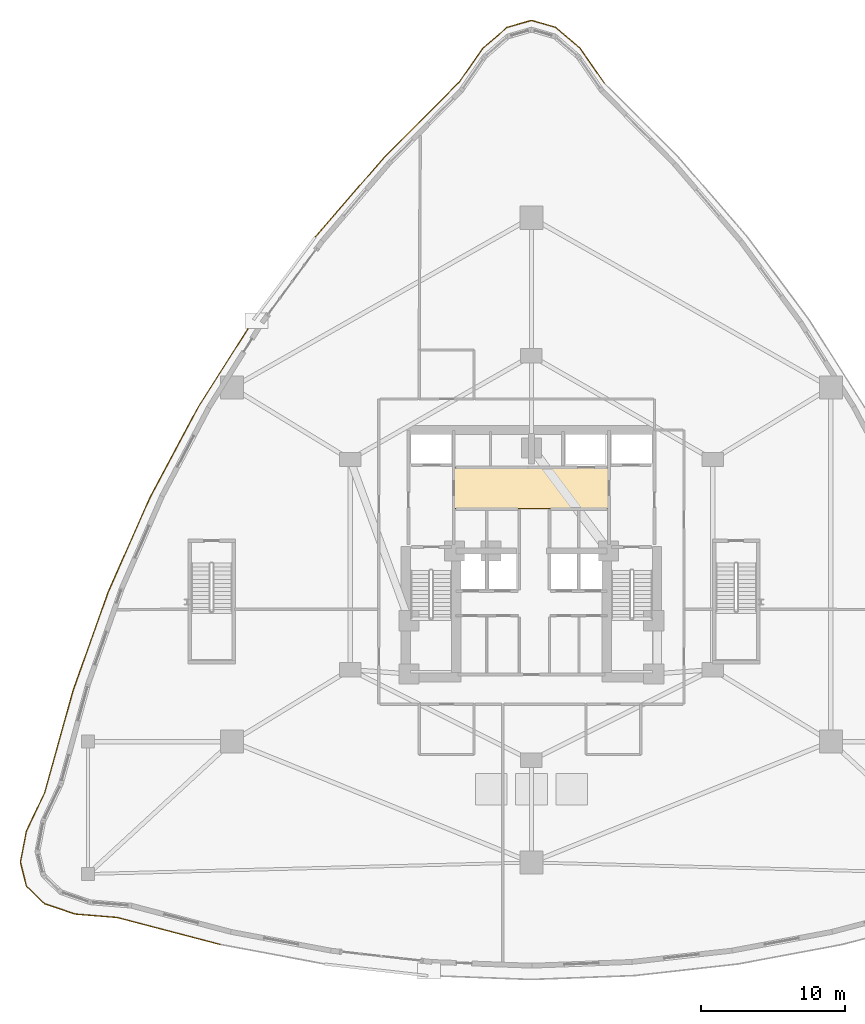
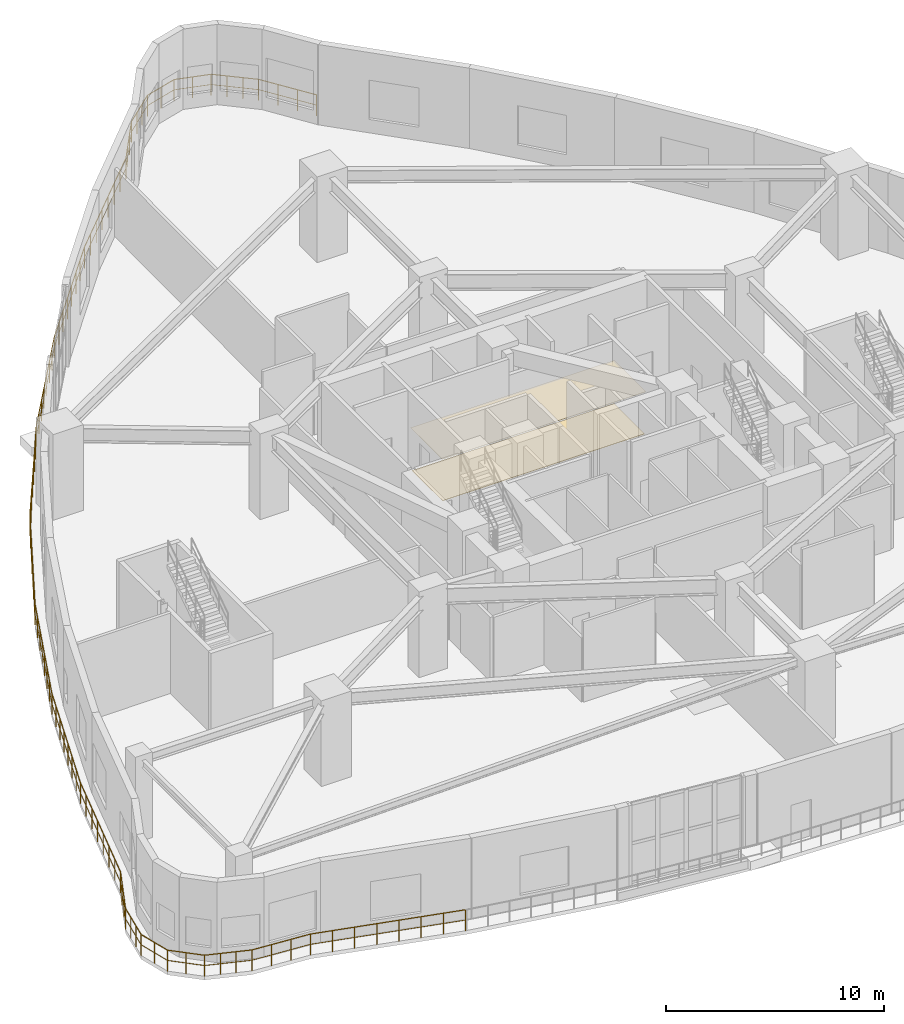
# One storey, part 23 of 23: 2 coverings, 1 railing.
"""IFC4 building model written with IfcOpenShell, lengths in metres."""

from ifc_helpers import new_model, si_unit, direction, frame, origin, origin_2d, place, context, subcontext, project, spatial, polyline, circle, outline, extrude, material, layer, layer_set, type_object, element, save


model = new_model("IFC4")

# Units and contexts
model_context = context("Model", 3, precision=1e-05, world=origin(), true_north=direction((0.0, 1.0)))
body_context = subcontext(model_context, "Body", "Model", "MODEL_VIEW")
ifc_project = project(units=[si_unit("LENGTHUNIT", "METRE"), si_unit("AREAUNIT", "SQUARE_METRE"), si_unit("VOLUMEUNIT", "CUBIC_METRE"), si_unit("PLANEANGLEUNIT", "RADIAN"), si_unit("MASSUNIT", "GRAM", prefix="KILO")], contexts=[model_context])

# Site, building, storey
site_placement = place(None, origin())
site = spatial("IfcSite", under=ifc_project, at=site_placement, CompositionType="ELEMENT")
building_placement = place(site_placement, origin())
building = spatial("IfcBuilding", under=site, at=building_placement, Name="Miruveldt Soraemaru", CompositionType="ELEMENT")
storey_placement = place(building_placement, frame((0.0, 0.0, 9.60009765625)))
storey = spatial("IfcBuildingStorey", under=building, at=storey_placement, Name="L03", CompositionType="ELEMENT", Elevation=9.60009765625)

# Coverings
ifc_material_1 = material(Name="Gypsum plasterboard lining", Category="gypsum")
ifc_layer_1 = layer(ifc_material_1, 0.02001953125, Name="Gypsum plasterboard lining", Category="gypsum")
ifc_layer_set_1 = layer_set([ifc_layer_1], Name="Gypsum plasterboard lining")
covering_type_1 = type_object("IfcCoveringType", Name="COV-CEIL-AC", PredefinedType="CEILING", material=ifc_layer_set_1)
covering_1_placement = place(storey_placement, frame((0.0, 0.0, 2.3798828125)))
element("IfcCovering", 1, at=covering_1_placement, inside=storey, type_object=covering_type_1, Name="L03 Lift Lobby Acoustic Ceiling", PredefinedType="CEILING", context=body_context, shape_type="SweptSolid", body=[
    extrude(outline(polyline([(38.60009765625, 46.949951171875), (49.39990234375, 46.949951171875), (49.39990234375, 49.85009765625), (38.60009765625, 49.85009765625), (38.60009765625, 46.949951171875)])), origin(), (0.0, 0.0, 1.0), 0.02001953125),
])
ifc_material_2 = material(Name="Precast concrete C45/55 (45 MPa)", Category="concrete")
ifc_layer_2 = layer(ifc_material_2, 0.02490234375, Name="Precast concrete C45/55 (45 MPa)", Category="concrete")
ifc_layer_set_2 = layer_set([ifc_layer_2], Name="Precast concrete C45/55 (45 MPa)")
covering_type_2 = type_object("IfcCoveringType", Name="COV-FLOR-ST", PredefinedType="FLOORING", material=ifc_layer_set_2)
covering_2_placement = place(storey_placement, origin())
element("IfcCovering", 2, at=covering_2_placement, inside=storey, type_object=covering_type_2, Name="L03 Lift Lobby Stone Flooring", PredefinedType="FLOORING", context=body_context, shape_type="SweptSolid", body=[
    extrude(outline(polyline([(38.64990234375, 47.0), (49.35009765625, 47.0), (49.35009765625, 49.800048828125), (38.64990234375, 49.800048828125), (38.64990234375, 47.0)])), origin(), (0.0, 0.0, 1.0), 0.02490234375),
])

# Railing
ifc_material_3 = material(Name="Anodised aluminium EN AW-6063 T6", Category="aluminium")
railing_type = type_object("IfcRailingType", Name="RAIL-GUARD-1200", PredefinedType="GUARDRAIL", material=ifc_material_3)
railing_placement = place(storey_placement, frame((49.054931640625, 76.5830078125, 0.0)))
element("IfcRailing", 3, at=railing_placement, inside=storey, type_object=railing_type, Name="L03 Planted Terrace Perimeter Guardrail (A)", PredefinedType="GUARDRAIL", context=body_context, shape_type="SweptSolid", body=[
    extrude(circle(Radius=0.02392578125, at=origin_2d()), frame((0.0, 0.0, 1.17578125), z_axis=(-0.57332851811, 0.819325582611, 0.0), x_axis=(-0.819325582611, -0.57332851811, 0.0)), (0.0, 0.0, 1.0), 2.938720703125),
    extrude(circle(Radius=0.01611328125, at=origin_2d()), frame((0.0, 0.0, 0.60009765625), z_axis=(-0.57332851811, 0.819325582611, 0.0), x_axis=(-0.819325582611, -0.57332851811, 0.0)), (0.0, 0.0, 1.0), 2.938720703125),
    extrude(circle(Radius=0.02392578125, at=origin_2d()), frame((-1.684814453125, 2.40771484375, 1.17578125), z_axis=(-0.759147896217, 0.650918175864, 0.0), x_axis=(-0.650918175864, -0.759147896217, 0.0)), (0.0, 0.0, 1.0), 2.2197265625),
    extrude(circle(Radius=0.01611328125, at=origin_2d()), frame((-1.684814453125, 2.40771484375, 0.60009765625), z_axis=(-0.759147896217, 0.650918175864, 0.0), x_axis=(-0.650918175864, -0.759147896217, 0.0)), (0.0, 0.0, 1.0), 2.2197265625),
    extrude(circle(Radius=0.02392578125, at=origin_2d()), frame((-3.369873046875, 3.8525390625, 1.17578125), z_axis=(-0.961523947641, 0.274721127897, 0.0), x_axis=(-0.274721127897, -0.961523947641, 0.0)), (0.0, 0.0, 1.0), 1.75244140625),
    extrude(circle(Radius=0.01611328125, at=origin_2d()), frame((-3.369873046875, 3.8525390625, 0.60009765625), z_axis=(-0.961523947641, 0.274721127897, 0.0), x_axis=(-0.274721127897, -0.961523947641, 0.0)), (0.0, 0.0, 1.0), 1.75244140625),
    extrude(circle(Radius=0.02392578125, at=origin_2d()), frame((-5.054931640625, 4.333984375, 1.17578125), z_axis=(-0.961523947641, -0.274721127897, 0.0), x_axis=(0.274721127897, -0.961523947641, 0.0)), (0.0, 0.0, 1.0), 1.75244140625),
    extrude(circle(Radius=0.01611328125, at=origin_2d()), frame((-5.054931640625, 4.333984375, 0.60009765625), z_axis=(-0.961523947641, -0.274721127897, 0.0), x_axis=(0.274721127897, -0.961523947641, 0.0)), (0.0, 0.0, 1.0), 1.75244140625),
    extrude(circle(Radius=0.02392578125, at=origin_2d()), frame((-6.739990234375, 3.8525390625, 1.17578125), z_axis=(-0.759147896217, -0.650918175864, 0.0), x_axis=(0.650918175864, -0.759147896217, 0.0)), (0.0, 0.0, 1.0), 2.2197265625),
    extrude(circle(Radius=0.01611328125, at=origin_2d()), frame((-6.739990234375, 3.8525390625, 0.60009765625), z_axis=(-0.759147896217, -0.650918175864, 0.0), x_axis=(0.650918175864, -0.759147896217, 0.0)), (0.0, 0.0, 1.0), 2.2197265625),
    extrude(circle(Radius=0.02392578125, at=origin_2d()), frame((-8.425048828125, 2.40771484375, 1.17578125), z_axis=(-0.57332851811, -0.819325582611, 0.0), x_axis=(0.819325582611, -0.57332851811, 0.0)), (0.0, 0.0, 1.0), 2.938720703125),
    extrude(circle(Radius=0.01611328125, at=origin_2d()), frame((-8.425048828125, 2.40771484375, 0.60009765625), z_axis=(-0.57332851811, -0.819325582611, 0.0), x_axis=(0.819325582611, -0.57332851811, 0.0)), (0.0, 0.0, 1.0), 2.938720703125),
    extrude(circle(Radius=0.02392578125, at=origin_2d()), frame((-10.10986328125, 0.0, 1.17578125), z_axis=(-0.706593947619, -0.707619243087, 0.0), x_axis=(0.707619243087, -0.706593947619, 0.0)), (0.0, 0.0, 1.0), 7.381591796875),
    extrude(circle(Radius=0.01611328125, at=origin_2d()), frame((-10.10986328125, 0.0, 0.60009765625), z_axis=(-0.706593947619, -0.707619243087, 0.0), x_axis=(0.707619243087, -0.706593947619, 0.0)), (0.0, 0.0, 1.0), 7.381591796875),
    extrude(circle(Radius=0.02392578125, at=origin_2d()), frame((-15.32568359375, -5.223388671875, 1.17578125), z_axis=(-0.654335352185, -0.756204500702, 0.0), x_axis=(0.756204500702, -0.654335352185, 0.0)), (0.0, 0.0, 1.0), 7.26416015625),
    extrude(circle(Radius=0.01611328125, at=origin_2d()), frame((-15.32568359375, -5.223388671875, 0.60009765625), z_axis=(-0.654335352185, -0.756204500702, 0.0), x_axis=(0.756204500702, -0.654335352185, 0.0)), (0.0, 0.0, 1.0), 7.26416015625),
    extrude(circle(Radius=0.02392578125, at=origin_2d()), frame((-20.078857421875, -10.716552734375, 1.17578125), z_axis=(-0.597196383066, -0.802095056744, 0.0), x_axis=(0.802095056744, -0.597196383066, 0.0)), (0.0, 0.0, 1.0), 7.184814453125),
    extrude(circle(Radius=0.01611328125, at=origin_2d()), frame((-20.078857421875, -10.716552734375, 0.60009765625), z_axis=(-0.597196383066, -0.802095056744, 0.0), x_axis=(0.802095056744, -0.597196383066, 0.0)), (0.0, 0.0, 1.0), 7.184814453125),
    extrude(circle(Radius=0.02392578125, at=origin_2d()), frame((-24.36962890625, -16.4794921875, 1.17578125), z_axis=(-0.535791647288, -0.844350229879, 0.0), x_axis=(0.844350229879, -0.535791647288, 0.0)), (0.0, 0.0, 1.0), 7.144775390625),
    extrude(circle(Radius=0.01611328125, at=origin_2d()), frame((-24.36962890625, -16.4794921875, 0.60009765625), z_axis=(-0.535791647288, -0.844350229879, 0.0), x_axis=(0.844350229879, -0.535791647288, 0.0)), (0.0, 0.0, 1.0), 7.144775390625),
    extrude(circle(Radius=0.02392578125, at=origin_2d()), frame((-28.19775390625, -22.51220703125, 1.17578125), z_axis=(-0.471040430181, -0.882111621698, 0.0), x_axis=(0.882111621698, -0.471040430181, 0.0)), (0.0, 0.0, 1.0), 7.144775390625),
    extrude(circle(Radius=0.01611328125, at=origin_2d()), frame((-28.19775390625, -22.51220703125, 0.60009765625), z_axis=(-0.471040430181, -0.882111621698, 0.0), x_axis=(0.882111621698, -0.471040430181, 0.0)), (0.0, 0.0, 1.0), 7.144775390625),
    extrude(circle(Radius=0.02392578125, at=origin_2d()), frame((-31.563232421875, -28.814697265625, 1.17578125), z_axis=(-0.404065993532, -0.914729836001, 0.0), x_axis=(0.914729836001, -0.404065993532, 0.0)), (0.0, 0.0, 1.0), 7.1845703125),
    extrude(circle(Radius=0.01611328125, at=origin_2d()), frame((-31.563232421875, -28.814697265625, 0.60009765625), z_axis=(-0.404065993532, -0.914729836001, 0.0), x_axis=(0.914729836001, -0.404065993532, 0.0)), (0.0, 0.0, 1.0), 7.1845703125),
    extrude(circle(Radius=0.02392578125, at=origin_2d()), frame((-34.46630859375, -35.38671875, 1.17578125), z_axis=(-0.335951011139, -0.941879460502, 0.0), x_axis=(0.941879460502, -0.335951011139, 0.0)), (0.0, 0.0, 1.0), 7.26416015625),
    extrude(circle(Radius=0.01611328125, at=origin_2d()), frame((-34.46630859375, -35.38671875, 0.60009765625), z_axis=(-0.335951011139, -0.941879460502, 0.0), x_axis=(0.941879460502, -0.335951011139, 0.0)), (0.0, 0.0, 1.0), 7.26416015625),
    extrude(circle(Radius=0.02392578125, at=origin_2d()), frame((-36.90673828125, -42.228759765625, 1.17578125), z_axis=(-0.267930427914, -0.963438262577, 0.0), x_axis=(0.963438262577, -0.267930427914, 0.0)), (0.0, 0.0, 1.0), 7.381591796875),
    extrude(circle(Radius=0.01611328125, at=origin_2d()), frame((-36.90673828125, -42.228759765625, 0.60009765625), z_axis=(-0.267930427914, -0.963438262577, 0.0), x_axis=(0.963438262577, -0.267930427914, 0.0)), (0.0, 0.0, 1.0), 7.381591796875),
    extrude(circle(Radius=0.02392578125, at=origin_2d()), frame((-38.884521484375, -49.340576171875, 1.17578125), z_axis=(-0.43063102051, -0.902528073898, 0.0), x_axis=(0.902528073898, -0.43063102051, 0.0)), (0.0, 0.0, 1.0), 2.9345703125),
    extrude(circle(Radius=0.01611328125, at=origin_2d()), frame((-38.884521484375, -49.340576171875, 0.60009765625), z_axis=(-0.43063102051, -0.902528073898, 0.0), x_axis=(0.902528073898, -0.43063102051, 0.0)), (0.0, 0.0, 1.0), 2.9345703125),
    extrude(circle(Radius=0.02392578125, at=origin_2d()), frame((-40.148193359375, -51.989013671875, 1.17578125), z_axis=(-0.190774933695, -0.981633803755, 0.0), x_axis=(0.981633803755, -0.190774933695, 0.0)), (0.0, 0.0, 1.0), 2.20751953125),
    extrude(circle(Radius=0.01611328125, at=origin_2d()), frame((-40.148193359375, -51.989013671875, 0.60009765625), z_axis=(-0.190774933695, -0.981633803755, 0.0), x_axis=(0.981633803755, -0.190774933695, 0.0)), (0.0, 0.0, 1.0), 2.20751953125),
    extrude(circle(Radius=0.02392578125, at=origin_2d()), frame((-40.5693359375, -54.156005859375, 1.17578125), z_axis=(0.242403365192, -0.970175555528, 0.0), x_axis=(0.970175555528, 0.242403365192, 0.0)), (0.0, 0.0, 1.0), 1.7373046875),
    extrude(circle(Radius=0.01611328125, at=origin_2d()), frame((-40.5693359375, -54.156005859375, 0.60009765625), z_axis=(0.242403365192, -0.970175555528, 0.0), x_axis=(0.970175555528, 0.242403365192, 0.0)), (0.0, 0.0, 1.0), 1.7373046875),
    extrude(circle(Radius=0.02392578125, at=origin_2d()), frame((-40.148193359375, -55.841552734375, 1.17578125), z_axis=(0.724034798674, -0.689763445182, 0.0), x_axis=(0.689763445182, 0.724034798674, 0.0)), (0.0, 0.0, 1.0), 1.745361328125),
    extrude(circle(Radius=0.01611328125, at=origin_2d()), frame((-40.148193359375, -55.841552734375, 0.60009765625), z_axis=(0.724034798674, -0.689763445182, 0.0), x_axis=(0.689763445182, 0.724034798674, 0.0)), (0.0, 0.0, 1.0), 1.745361328125),
    extrude(circle(Radius=0.02392578125, at=origin_2d()), frame((-38.884521484375, -57.04541015625, 1.17578125), z_axis=(0.945906534077, -0.32443925285, 0.0), x_axis=(0.32443925285, 0.945906534077, 0.0)), (0.0, 0.0, 1.0), 2.2265625),
    extrude(circle(Radius=0.01611328125, at=origin_2d()), frame((-38.884521484375, -57.04541015625, 0.60009765625), z_axis=(0.945906534077, -0.32443925285, 0.0), x_axis=(0.32443925285, 0.945906534077, 0.0)), (0.0, 0.0, 1.0), 2.2265625),
    extrude(circle(Radius=0.02392578125, at=origin_2d()), frame((-36.7783203125, -57.767822265625, 1.17578125), z_axis=(0.996684342683, -0.081365355347, 0.0), x_axis=(0.081365355347, 0.996684342683, 0.0)), (0.0, 0.0, 1.0), 2.95849609375),
    extrude(circle(Radius=0.01611328125, at=origin_2d()), frame((-36.7783203125, -57.767822265625, 0.60009765625), z_axis=(0.996684342683, -0.081365355347, 0.0), x_axis=(0.081365355347, 0.996684342683, 0.0)), (0.0, 0.0, 1.0), 2.95849609375),
    extrude(circle(Radius=0.02392578125, at=origin_2d()), frame((-33.82958984375, -58.008544921875, 1.17578125), z_axis=(0.967235837985, -0.253879565379, 0.0), x_axis=(0.253879565379, 0.967235837985, 0.0)), (0.0, 0.0, 1.0), 7.382568359375),
    extrude(circle(Radius=0.01611328125, at=origin_2d()), frame((-33.82958984375, -58.008544921875, 0.60009765625), z_axis=(0.967235837985, -0.253879565379, 0.0), x_axis=(0.253879565379, 0.967235837985, 0.0)), (0.0, 0.0, 1.0), 7.382568359375),
    extrude(circle(Radius=0.02099609375, at=origin_2d()), origin(), (0.0, 0.0, 1.0), 1.15185546875),
    extrude(circle(Radius=0.02099609375, at=origin_2d()), frame((-0.5615234375, 0.802490234375, 0.0)), (0.0, 0.0, 1.0), 1.15185546875),
    extrude(circle(Radius=0.02099609375, at=origin_2d()), frame((-1.123291015625, 1.605224609375, 0.0)), (0.0, 0.0, 1.0), 1.15185546875),
    extrude(circle(Radius=0.02099609375, at=origin_2d()), frame((-1.684814453125, 2.40771484375, 0.0)), (0.0, 0.0, 1.0), 1.15185546875),
    extrude(circle(Radius=0.02099609375, at=origin_2d()), frame((-2.24658203125, 2.889404296875, 0.0)), (0.0, 0.0, 1.0), 1.15185546875),
    extrude(circle(Radius=0.02099609375, at=origin_2d()), frame((-2.80810546875, 3.370849609375, 0.0)), (0.0, 0.0, 1.0), 1.15185546875),
    extrude(circle(Radius=0.02099609375, at=origin_2d()), frame((-3.369873046875, 3.8525390625, 0.0)), (0.0, 0.0, 1.0), 1.15185546875),
    extrude(circle(Radius=0.02099609375, at=origin_2d()), frame((-4.21240234375, 4.09326171875, 0.0)), (0.0, 0.0, 1.0), 1.15185546875),
    extrude(circle(Radius=0.02099609375, at=origin_2d()), frame((-5.054931640625, 4.333984375, 0.0)), (0.0, 0.0, 1.0), 1.15185546875),
    extrude(circle(Radius=0.02099609375, at=origin_2d()), frame((-5.8974609375, 4.09326171875, 0.0)), (0.0, 0.0, 1.0), 1.15185546875),
    extrude(circle(Radius=0.02099609375, at=origin_2d()), frame((-6.739990234375, 3.8525390625, 0.0)), (0.0, 0.0, 1.0), 1.15185546875),
    extrude(circle(Radius=0.02099609375, at=origin_2d()), frame((-7.3017578125, 3.370849609375, 0.0)), (0.0, 0.0, 1.0), 1.15185546875),
    extrude(circle(Radius=0.02099609375, at=origin_2d()), frame((-7.86328125, 2.889404296875, 0.0)), (0.0, 0.0, 1.0), 1.15185546875),
    extrude(circle(Radius=0.02099609375, at=origin_2d()), frame((-8.425048828125, 2.40771484375, 0.0)), (0.0, 0.0, 1.0), 1.15185546875),
    extrude(circle(Radius=0.02099609375, at=origin_2d()), frame((-8.986572265625, 1.605224609375, 0.0)), (0.0, 0.0, 1.0), 1.15185546875),
    extrude(circle(Radius=0.02099609375, at=origin_2d()), frame((-9.54833984375, 0.802490234375, 0.0)), (0.0, 0.0, 1.0), 1.15185546875),
    extrude(circle(Radius=0.02099609375, at=origin_2d()), frame((-10.10986328125, 0.0, 0.0)), (0.0, 0.0, 1.0), 1.15185546875),
    extrude(circle(Radius=0.02099609375, at=origin_2d()), frame((-10.85498046875, -0.74609375, 0.0)), (0.0, 0.0, 1.0), 1.15185546875),
    extrude(circle(Radius=0.02099609375, at=origin_2d()), frame((-11.60009765625, -1.492431640625, 0.0)), (0.0, 0.0, 1.0), 1.15185546875),
    extrude(circle(Radius=0.02099609375, at=origin_2d()), frame((-12.34521484375, -2.238525390625, 0.0)), (0.0, 0.0, 1.0), 1.15185546875),
    extrude(circle(Radius=0.02099609375, at=origin_2d()), frame((-13.09033203125, -2.98486328125, 0.0)), (0.0, 0.0, 1.0), 1.15185546875),
    extrude(circle(Radius=0.02099609375, at=origin_2d()), frame((-13.83544921875, -3.73095703125, 0.0)), (0.0, 0.0, 1.0), 1.15185546875),
    extrude(circle(Radius=0.02099609375, at=origin_2d()), frame((-14.58056640625, -4.477294921875, 0.0)), (0.0, 0.0, 1.0), 1.15185546875),
    extrude(circle(Radius=0.02099609375, at=origin_2d()), frame((-15.32568359375, -5.223388671875, 0.0)), (0.0, 0.0, 1.0), 1.15185546875),
    extrude(circle(Radius=0.02099609375, at=origin_2d()), frame((-16.004638671875, -6.008056640625, 0.0)), (0.0, 0.0, 1.0), 1.15185546875),
    extrude(circle(Radius=0.02099609375, at=origin_2d()), frame((-16.683837890625, -6.79296875, 0.0)), (0.0, 0.0, 1.0), 1.15185546875),
    extrude(circle(Radius=0.02099609375, at=origin_2d()), frame((-17.36279296875, -7.57763671875, 0.0)), (0.0, 0.0, 1.0), 1.15185546875),
    extrude(circle(Radius=0.02099609375, at=origin_2d()), frame((-18.041748046875, -8.3623046875, 0.0)), (0.0, 0.0, 1.0), 1.15185546875),
    extrude(circle(Radius=0.02099609375, at=origin_2d()), frame((-18.720703125, -9.14697265625, 0.0)), (0.0, 0.0, 1.0), 1.15185546875),
    extrude(circle(Radius=0.02099609375, at=origin_2d()), frame((-19.39990234375, -9.931884765625, 0.0)), (0.0, 0.0, 1.0), 1.15185546875),
    extrude(circle(Radius=0.02099609375, at=origin_2d()), frame((-20.078857421875, -10.716552734375, 0.0)), (0.0, 0.0, 1.0), 1.15185546875),
    extrude(circle(Radius=0.02099609375, at=origin_2d()), frame((-20.69189453125, -11.539794921875, 0.0)), (0.0, 0.0, 1.0), 1.15185546875),
    extrude(circle(Radius=0.02099609375, at=origin_2d()), frame((-21.3046875, -12.363037109375, 0.0)), (0.0, 0.0, 1.0), 1.15185546875),
    extrude(circle(Radius=0.02099609375, at=origin_2d()), frame((-21.917724609375, -13.186279296875, 0.0)), (0.0, 0.0, 1.0), 1.15185546875),
    extrude(circle(Radius=0.02099609375, at=origin_2d()), frame((-22.53076171875, -14.009765625, 0.0)), (0.0, 0.0, 1.0), 1.15185546875),
    extrude(circle(Radius=0.02099609375, at=origin_2d()), frame((-23.143798828125, -14.8330078125, 0.0)), (0.0, 0.0, 1.0), 1.15185546875),
    extrude(circle(Radius=0.02099609375, at=origin_2d()), frame((-23.756591796875, -15.65625, 0.0)), (0.0, 0.0, 1.0), 1.15185546875),
    extrude(circle(Radius=0.02099609375, at=origin_2d()), frame((-24.36962890625, -16.4794921875, 0.0)), (0.0, 0.0, 1.0), 1.15185546875),
    extrude(circle(Radius=0.02099609375, at=origin_2d()), frame((-24.91650390625, -17.34130859375, 0.0)), (0.0, 0.0, 1.0), 1.15185546875),
    extrude(circle(Radius=0.02099609375, at=origin_2d()), frame((-25.46337890625, -18.203125, 0.0)), (0.0, 0.0, 1.0), 1.15185546875),
    extrude(circle(Radius=0.02099609375, at=origin_2d()), frame((-26.01025390625, -19.06494140625, 0.0)), (0.0, 0.0, 1.0), 1.15185546875),
    extrude(circle(Radius=0.02099609375, at=origin_2d()), frame((-26.55712890625, -19.9267578125, 0.0)), (0.0, 0.0, 1.0), 1.15185546875),
    extrude(circle(Radius=0.02099609375, at=origin_2d()), frame((-27.10400390625, -20.78857421875, 0.0)), (0.0, 0.0, 1.0), 1.15185546875),
    extrude(circle(Radius=0.02099609375, at=origin_2d()), frame((-27.65087890625, -21.650390625, 0.0)), (0.0, 0.0, 1.0), 1.15185546875),
    extrude(circle(Radius=0.02099609375, at=origin_2d()), frame((-28.19775390625, -22.51220703125, 0.0)), (0.0, 0.0, 1.0), 1.15185546875),
    extrude(circle(Radius=0.02099609375, at=origin_2d()), frame((-28.678466796875, -23.41259765625, 0.0)), (0.0, 0.0, 1.0), 1.15185546875),
    extrude(circle(Radius=0.02099609375, at=origin_2d()), frame((-29.159423828125, -24.31298828125, 0.0)), (0.0, 0.0, 1.0), 1.15185546875),
    extrude(circle(Radius=0.02099609375, at=origin_2d()), frame((-29.64013671875, -25.21337890625, 0.0)), (0.0, 0.0, 1.0), 1.15185546875),
    extrude(circle(Radius=0.02099609375, at=origin_2d()), frame((-30.120849609375, -26.113525390625, 0.0)), (0.0, 0.0, 1.0), 1.15185546875),
    extrude(circle(Radius=0.02099609375, at=origin_2d()), frame((-30.6015625, -27.013916015625, 0.0)), (0.0, 0.0, 1.0), 1.15185546875),
    extrude(circle(Radius=0.02099609375, at=origin_2d()), frame((-31.08251953125, -27.914306640625, 0.0)), (0.0, 0.0, 1.0), 1.15185546875),
    extrude(circle(Radius=0.02099609375, at=origin_2d()), frame((-31.563232421875, -28.814697265625, 0.0)), (0.0, 0.0, 1.0), 1.15185546875),
    extrude(circle(Radius=0.02099609375, at=origin_2d()), frame((-31.97802734375, -29.753662109375, 0.0)), (0.0, 0.0, 1.0), 1.15185546875),
    extrude(circle(Radius=0.02099609375, at=origin_2d()), frame((-32.392578125, -30.6923828125, 0.0)), (0.0, 0.0, 1.0), 1.15185546875),
    extrude(circle(Radius=0.02099609375, at=origin_2d()), frame((-32.807373046875, -31.63134765625, 0.0)), (0.0, 0.0, 1.0), 1.15185546875),
    extrude(circle(Radius=0.02099609375, at=origin_2d()), frame((-33.22216796875, -32.570068359375, 0.0)), (0.0, 0.0, 1.0), 1.15185546875),
    extrude(circle(Radius=0.02099609375, at=origin_2d()), frame((-33.636962890625, -33.509033203125, 0.0)), (0.0, 0.0, 1.0), 1.15185546875),
    extrude(circle(Radius=0.02099609375, at=origin_2d()), frame((-34.051513671875, -34.44775390625, 0.0)), (0.0, 0.0, 1.0), 1.15185546875),
    extrude(circle(Radius=0.02099609375, at=origin_2d()), frame((-34.46630859375, -35.38671875, 0.0)), (0.0, 0.0, 1.0), 1.15185546875),
    extrude(circle(Radius=0.02099609375, at=origin_2d()), frame((-34.81494140625, -36.3642578125, 0.0)), (0.0, 0.0, 1.0), 1.15185546875),
    extrude(circle(Radius=0.02099609375, at=origin_2d()), frame((-35.16357421875, -37.341552734375, 0.0)), (0.0, 0.0, 1.0), 1.15185546875),
    extrude(circle(Radius=0.02099609375, at=origin_2d()), frame((-35.51220703125, -38.319091796875, 0.0)), (0.0, 0.0, 1.0), 1.15185546875),
    extrude(circle(Radius=0.02099609375, at=origin_2d()), frame((-35.86083984375, -39.29638671875, 0.0)), (0.0, 0.0, 1.0), 1.15185546875),
    extrude(circle(Radius=0.02099609375, at=origin_2d()), frame((-36.20947265625, -40.27392578125, 0.0)), (0.0, 0.0, 1.0), 1.15185546875),
    extrude(circle(Radius=0.02099609375, at=origin_2d()), frame((-36.55810546875, -41.251220703125, 0.0)), (0.0, 0.0, 1.0), 1.15185546875),
    extrude(circle(Radius=0.02099609375, at=origin_2d()), frame((-36.90673828125, -42.228759765625, 0.0)), (0.0, 0.0, 1.0), 1.15185546875),
    extrude(circle(Radius=0.02099609375, at=origin_2d()), frame((-37.189208984375, -43.24462890625, 0.0)), (0.0, 0.0, 1.0), 1.15185546875),
    extrude(circle(Radius=0.02099609375, at=origin_2d()), frame((-37.471923828125, -44.2607421875, 0.0)), (0.0, 0.0, 1.0), 1.15185546875),
    extrude(circle(Radius=0.02099609375, at=origin_2d()), frame((-37.75439453125, -45.276611328125, 0.0)), (0.0, 0.0, 1.0), 1.15185546875),
    extrude(circle(Radius=0.02099609375, at=origin_2d()), frame((-38.036865234375, -46.292724609375, 0.0)), (0.0, 0.0, 1.0), 1.15185546875),
    extrude(circle(Radius=0.02099609375, at=origin_2d()), frame((-38.3193359375, -47.30859375, 0.0)), (0.0, 0.0, 1.0), 1.15185546875),
    extrude(circle(Radius=0.02099609375, at=origin_2d()), frame((-38.60205078125, -48.32470703125, 0.0)), (0.0, 0.0, 1.0), 1.15185546875),
    extrude(circle(Radius=0.02099609375, at=origin_2d()), frame((-38.884521484375, -49.340576171875, 0.0)), (0.0, 0.0, 1.0), 1.15185546875),
    extrude(circle(Radius=0.02099609375, at=origin_2d()), frame((-39.3056640625, -50.223388671875, 0.0)), (0.0, 0.0, 1.0), 1.15185546875),
    extrude(circle(Radius=0.02099609375, at=origin_2d()), frame((-39.72705078125, -51.106201171875, 0.0)), (0.0, 0.0, 1.0), 1.15185546875),
    extrude(circle(Radius=0.02099609375, at=origin_2d()), frame((-40.148193359375, -51.989013671875, 0.0)), (0.0, 0.0, 1.0), 1.15185546875),
    extrude(circle(Radius=0.02099609375, at=origin_2d()), frame((-40.28857421875, -52.71142578125, 0.0)), (0.0, 0.0, 1.0), 1.15185546875),
    extrude(circle(Radius=0.02099609375, at=origin_2d()), frame((-40.428955078125, -53.43359375, 0.0)), (0.0, 0.0, 1.0), 1.15185546875),
    extrude(circle(Radius=0.02099609375, at=origin_2d()), frame((-40.5693359375, -54.156005859375, 0.0)), (0.0, 0.0, 1.0), 1.15185546875),
    extrude(circle(Radius=0.02099609375, at=origin_2d()), frame((-40.35888671875, -54.998779296875, 0.0)), (0.0, 0.0, 1.0), 1.15185546875),
    extrude(circle(Radius=0.02099609375, at=origin_2d()), frame((-40.148193359375, -55.841552734375, 0.0)), (0.0, 0.0, 1.0), 1.15185546875),
    extrude(circle(Radius=0.02099609375, at=origin_2d()), frame((-39.516357421875, -56.443359375, 0.0)), (0.0, 0.0, 1.0), 1.15185546875),
    extrude(circle(Radius=0.02099609375, at=origin_2d()), frame((-38.884521484375, -57.04541015625, 0.0)), (0.0, 0.0, 1.0), 1.15185546875),
    extrude(circle(Radius=0.02099609375, at=origin_2d()), frame((-38.182373046875, -57.2861328125, 0.0)), (0.0, 0.0, 1.0), 1.15185546875),
    extrude(circle(Radius=0.02099609375, at=origin_2d()), frame((-37.48046875, -57.527099609375, 0.0)), (0.0, 0.0, 1.0), 1.15185546875),
    extrude(circle(Radius=0.02099609375, at=origin_2d()), frame((-36.7783203125, -57.767822265625, 0.0)), (0.0, 0.0, 1.0), 1.15185546875),
    extrude(circle(Radius=0.02099609375, at=origin_2d()), frame((-35.79541015625, -57.84814453125, 0.0)), (0.0, 0.0, 1.0), 1.15185546875),
    extrude(circle(Radius=0.02099609375, at=origin_2d()), frame((-34.8125, -57.92822265625, 0.0)), (0.0, 0.0, 1.0), 1.15185546875),
    extrude(circle(Radius=0.02099609375, at=origin_2d()), frame((-33.82958984375, -58.008544921875, 0.0)), (0.0, 0.0, 1.0), 1.15185546875),
    extrude(circle(Radius=0.02099609375, at=origin_2d()), frame((-32.8095703125, -58.2763671875, 0.0)), (0.0, 0.0, 1.0), 1.15185546875),
    extrude(circle(Radius=0.02099609375, at=origin_2d()), frame((-31.789306640625, -58.5439453125, 0.0)), (0.0, 0.0, 1.0), 1.15185546875),
    extrude(circle(Radius=0.02099609375, at=origin_2d()), frame((-30.769287109375, -58.811767578125, 0.0)), (0.0, 0.0, 1.0), 1.15185546875),
    extrude(circle(Radius=0.02099609375, at=origin_2d()), frame((-29.749267578125, -59.07958984375, 0.0)), (0.0, 0.0, 1.0), 1.15185546875),
    extrude(circle(Radius=0.02099609375, at=origin_2d()), frame((-28.729248046875, -59.347412109375, 0.0)), (0.0, 0.0, 1.0), 1.15185546875),
    extrude(circle(Radius=0.02099609375, at=origin_2d()), frame((-27.708984375, -59.614990234375, 0.0)), (0.0, 0.0, 1.0), 1.15185546875),
    extrude(circle(Radius=0.02099609375, at=origin_2d()), frame((-26.68896484375, -59.8828125, 0.0)), (0.0, 0.0, 1.0), 1.15185546875),
])

save(model, "model.ifc")
